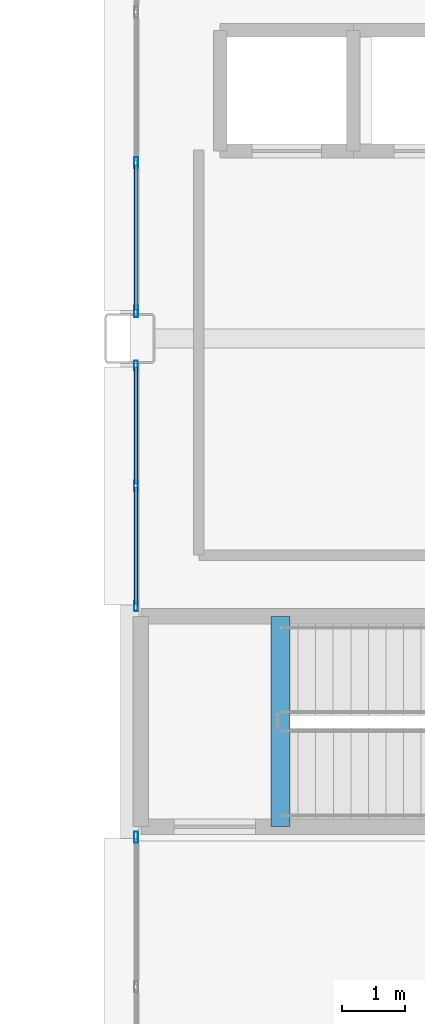
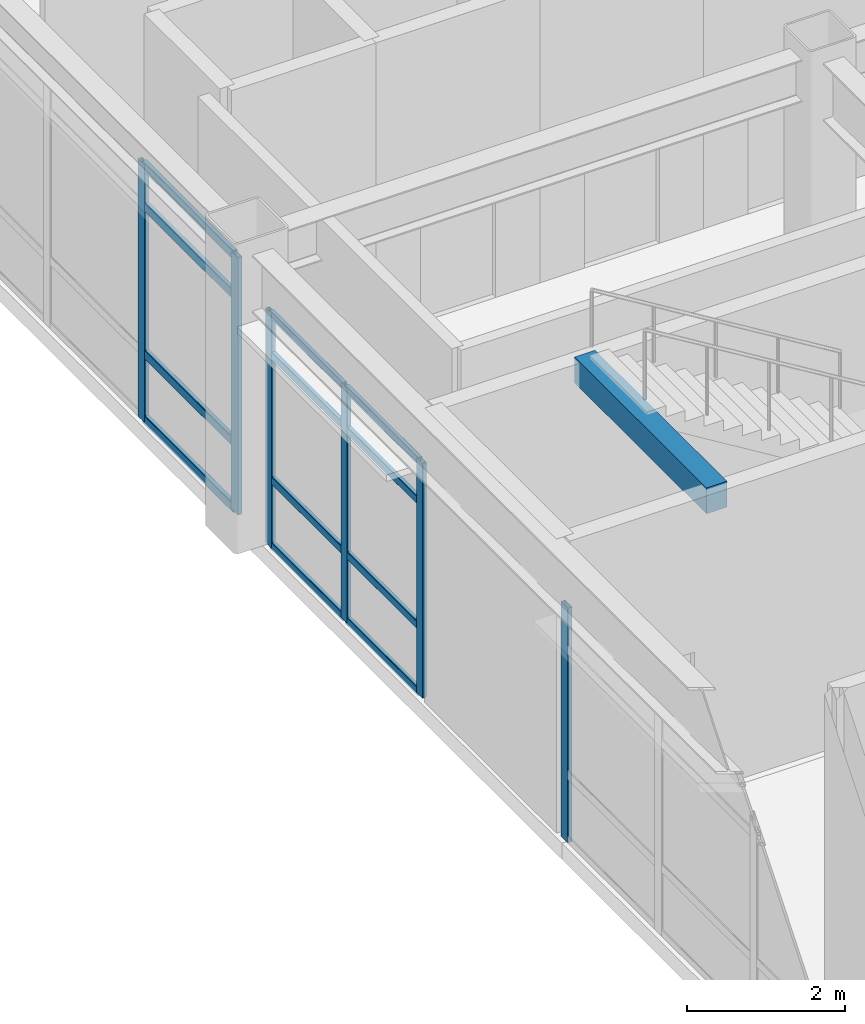
# One storey, part 92 of 154: 18 members, 1 beam, 3 elements without a shape of their own.
"""IFC4 building model written with IfcOpenShell, lengths in metres."""

from ifc_helpers import new_model, si_unit, direction, frame, origin, origin_2d, place, context, subcontext, project, spatial, rectangle, hollow_rectangle, extrude, material, layer, layer_set, material_profile, profile_set, type_object, element, aggregate, save


model = new_model("IFC4")

# Units and contexts
model_context = context("Model", 3, precision=1e-05, world=origin(), true_north=direction((0.0, 1.0)))
body_context = subcontext(model_context, "Body", "Model", "MODEL_VIEW")
ifc_project = project(units=[si_unit("LENGTHUNIT", "METRE"), si_unit("AREAUNIT", "SQUARE_METRE"), si_unit("VOLUMEUNIT", "CUBIC_METRE"), si_unit("PLANEANGLEUNIT", "RADIAN"), si_unit("MASSUNIT", "GRAM", prefix="KILO")], contexts=[model_context])

# Site, building, storey
site_placement = place(None, origin())
site = spatial("IfcSite", under=ifc_project, at=site_placement, CompositionType="ELEMENT")
building_placement = place(site_placement, origin())
building = spatial("IfcBuilding", under=site, at=building_placement, Name="Kazehara Bluff Congress Hotel", CompositionType="ELEMENT")
storey_placement = place(building_placement, frame((0.0, 0.0, 10.199951171875)))
storey = spatial("IfcBuildingStorey", under=building, at=storey_placement, Name="L02", CompositionType="ELEMENT", Elevation=10.199951171875)

# Curtain wall, members
ifc_material_1 = material(Name="Anodised aluminium", Category="aluminium")
ifc_layer_1 = layer(ifc_material_1, 0.159912109375)
ifc_layer_set_1 = layer_set([ifc_layer_1], Name="Anodised aluminium")
curtain_wall_type_1 = type_object("IfcCurtainWallType", Name="TP-CW-142", PredefinedType="NOTDEFINED", material=ifc_layer_set_1)
curtain_wall_1_placement = place(storey_placement, origin())
curtain_wall_1 = element("IfcCurtainWall", 1, at=curtain_wall_1_placement, inside=storey, type_object=curtain_wall_type_1, Name="L02 curtain wall CW-142 CW-ENC-V5-L02-14380-5410", PredefinedType="NOTDEFINED")
ifc_material_2 = material(Name="Anodised aluminium", Category="aluminium")
ifc_material_profile_1 = material_profile(ifc_material_2, hollow_rectangle(XDim=0.06005859375, YDim=0.159912109375, WallThickness=0.00390625, InnerFilletRadius=0.00390625, OuterFilletRadius=0.008056640625, at=origin_2d()))
ifc_profile_set_1 = profile_set([ifc_material_profile_1], Name="Anodised aluminium")
member_type_1 = type_object("IfcMemberType", Name="TP-CWM-01", PredefinedType="MULLION", material=ifc_profile_set_1)
member_1_placement = place(storey_placement, frame((143.800048828125, 52.18994140625, 0.0), z_axis=(0.0, 0.0, 1.0), x_axis=(-1.0, 0.0, 0.0)))
member_1 = element("IfcMember", 2, at=member_1_placement, type_object=member_type_1, Name="CW-142 mullion 1", PredefinedType="MULLION", context=body_context, shape_type="SweptSolid", body=[
    extrude(hollow_rectangle(XDim=0.06005859375, YDim=0.159912109375, WallThickness=0.00390625, InnerFilletRadius=0.00390625, OuterFilletRadius=0.008056640625, at=origin_2d()), origin(), (0.0, 0.0, 1.0), 3.635009765625),
])
member_2_placement = place(storey_placement, frame((143.800048828125, 54.10498046875, 0.0), z_axis=(0.0, 0.0, 1.0), x_axis=(-1.0, 0.0, 0.0)))
member_2 = element("IfcMember", 3, at=member_2_placement, type_object=member_type_1, Name="CW-142 mullion 2", PredefinedType="MULLION", context=body_context, shape_type="SweptSolid", body=[
    extrude(hollow_rectangle(XDim=0.06005859375, YDim=0.159912109375, WallThickness=0.00390625, InnerFilletRadius=0.00390625, OuterFilletRadius=0.008056640625, at=origin_2d()), origin(), (0.0, 0.0, 1.0), 3.635009765625),
])
member_3_placement = place(storey_placement, frame((143.800048828125, 56.02001953125, 0.0), z_axis=(0.0, 0.0, 1.0), x_axis=(-1.0, 0.0, 0.0)))
member_3 = element("IfcMember", 4, at=member_3_placement, type_object=member_type_1, Name="CW-142 mullion 3", PredefinedType="MULLION", context=body_context, shape_type="SweptSolid", body=[
    extrude(hollow_rectangle(XDim=0.06005859375, YDim=0.159912109375, WallThickness=0.00390625, InnerFilletRadius=0.00390625, OuterFilletRadius=0.008056640625, at=origin_2d()), origin(), (0.0, 0.0, 1.0), 3.635009765625),
])

# Curtain wall, member
ifc_material_3 = material(Name="Anodised aluminium", Category="aluminium")
ifc_layer_2 = layer(ifc_material_3, 0.159912109375)
ifc_layer_set_2 = layer_set([ifc_layer_2], Name="Anodised aluminium")
curtain_wall_type_2 = type_object("IfcCurtainWallType", Name="TP-CW-141", PredefinedType="NOTDEFINED", material=ifc_layer_set_2)
curtain_wall_2_placement = place(storey_placement, origin())
curtain_wall_2 = element("IfcCurtainWall", 5, at=curtain_wall_2_placement, inside=storey, type_object=curtain_wall_type_2, Name="L02 curtain wall CW-141 CW-ENC-V5-L02-14380-4492", PredefinedType="NOTDEFINED")
ifc_material_4 = material(Name="Anodised aluminium", Category="aluminium")
ifc_material_profile_2 = material_profile(ifc_material_4, hollow_rectangle(XDim=0.06494140625, YDim=0.179931640625, WallThickness=0.00390625, InnerFilletRadius=0.00390625, OuterFilletRadius=0.008056640625, at=origin_2d()))
ifc_profile_set_2 = profile_set([ifc_material_profile_2], Name="Anodised aluminium")
member_type_2 = type_object("IfcMemberType", Name="TP-CWM-02", PredefinedType="MULLION", material=ifc_profile_set_2)
member_4_placement = place(storey_placement, frame((143.800048828125, 48.507568359375, 0.0), z_axis=(0.0, 0.0, 1.0), x_axis=(-1.0, 0.0, 0.0)))
member_4 = element("IfcMember", 6, at=member_4_placement, type_object=member_type_2, Name="CW-141 mullion 4", PredefinedType="MULLION", context=body_context, shape_type="SweptSolid", body=[
    extrude(hollow_rectangle(XDim=0.06494140625, YDim=0.179931640625, WallThickness=0.00390625, InnerFilletRadius=0.00390625, OuterFilletRadius=0.008056640625, at=origin_2d()), origin(), (0.0, 0.0, 1.0), 3.635009765625),
])
aggregate(curtain_wall_2, [member_4])

# Curtain wall, members
ifc_material_5 = material(Name="Anodised aluminium", Category="aluminium")
ifc_layer_3 = layer(ifc_material_5, 0.159912109375)
ifc_layer_set_3 = layer_set([ifc_layer_3], Name="Anodised aluminium")
curtain_wall_type_3 = type_object("IfcCurtainWallType", Name="TP-CW-120", PredefinedType="NOTDEFINED", material=ifc_layer_set_3)
curtain_wall_3_placement = place(storey_placement, origin())
curtain_wall_3 = element("IfcCurtainWall", 7, at=curtain_wall_3_placement, inside=storey, type_object=curtain_wall_type_3, Name="L02 curtain wall CW-120 CW-ENC-V5-L02-14380-6045", PredefinedType="NOTDEFINED")
member_5_placement = place(storey_placement, frame((143.800048828125, 56.882568359375, 0.0), z_axis=(0.0, 0.0, 1.0), x_axis=(-1.0, 0.0, 0.0)))
member_5 = element("IfcMember", 8, at=member_5_placement, type_object=member_type_2, Name="CW-120 mullion 1", PredefinedType="MULLION", context=body_context, shape_type="SweptSolid", body=[
    extrude(hollow_rectangle(XDim=0.06494140625, YDim=0.179931640625, WallThickness=0.00390625, InnerFilletRadius=0.00390625, OuterFilletRadius=0.008056640625, at=origin_2d()), origin(), (0.0, 0.0, 1.0), 3.985107421875),
])
member_6_placement = place(storey_placement, frame((143.800048828125, 59.25, 0.0), z_axis=(0.0, 0.0, 1.0), x_axis=(-1.0, 0.0, 0.0)))
member_6 = element("IfcMember", 9, at=member_6_placement, type_object=member_type_2, Name="CW-120 mullion 2", PredefinedType="MULLION", context=body_context, shape_type="SweptSolid", body=[
    extrude(hollow_rectangle(XDim=0.06494140625, YDim=0.179931640625, WallThickness=0.00390625, InnerFilletRadius=0.00390625, OuterFilletRadius=0.008056640625, at=origin_2d()), origin(), (0.0, 0.0, 1.0), 3.985107421875),
])

# Member
ifc_material_6 = material(Name="Anodised aluminium", Category="aluminium")
ifc_material_profile_3 = material_profile(ifc_material_6, hollow_rectangle(XDim=0.06005859375, YDim=0.1201171875, WallThickness=0.00390625, InnerFilletRadius=0.00390625, OuterFilletRadius=0.008056640625, at=origin_2d()))
ifc_profile_set_3 = profile_set([ifc_material_profile_3], Name="Anodised aluminium")
member_type_3 = type_object("IfcMemberType", Name="TP-CWT-01", PredefinedType="USERDEFINED", material=ifc_profile_set_3)
member_7_placement = place(storey_placement, frame((143.800048828125, 52.219970703125, 0.030029296875), z_axis=(0.0, 1.0, 0.0), x_axis=(-1.0, 0.0, 0.0)))
member_7 = element("IfcMember", 10, at=member_7_placement, type_object=member_type_3, Name="CW-142 transom 1.1", ObjectType="TRANSOM", PredefinedType="USERDEFINED", context=body_context, shape_type="SweptSolid", body=[
    extrude(hollow_rectangle(XDim=0.06005859375, YDim=0.1201171875, WallThickness=0.00390625, InnerFilletRadius=0.00390625, OuterFilletRadius=0.008056640625, at=origin_2d()), origin(), (0.0, 0.0, 1.0), 1.85498046875),
])

member_8_placement = place(storey_placement, frame((143.800048828125, 52.219970703125, 1.050048828125), z_axis=(0.0, 1.0, 0.0), x_axis=(-1.0, 0.0, 0.0)))
member_8 = element("IfcMember", 11, at=member_8_placement, type_object=member_type_3, Name="CW-142 transom 1.2", ObjectType="TRANSOM", PredefinedType="USERDEFINED", context=body_context, shape_type="SweptSolid", body=[
    extrude(hollow_rectangle(XDim=0.06005859375, YDim=0.1201171875, WallThickness=0.00390625, InnerFilletRadius=0.00390625, OuterFilletRadius=0.008056640625, at=origin_2d()), origin(), (0.0, 0.0, 1.0), 1.85498046875),
])

member_9_placement = place(storey_placement, frame((143.800048828125, 52.219970703125, 2.985107421875), z_axis=(0.0, 1.0, 0.0), x_axis=(-1.0, 0.0, 0.0)))
member_9 = element("IfcMember", 12, at=member_9_placement, type_object=member_type_3, Name="CW-142 transom 1.3", ObjectType="TRANSOM", PredefinedType="USERDEFINED", context=body_context, shape_type="SweptSolid", body=[
    extrude(hollow_rectangle(XDim=0.06005859375, YDim=0.1201171875, WallThickness=0.00390625, InnerFilletRadius=0.00390625, OuterFilletRadius=0.008056640625, at=origin_2d()), origin(), (0.0, 0.0, 1.0), 1.85498046875),
])

member_10_placement = place(storey_placement, frame((143.800048828125, 52.219970703125, 3.60498046875), z_axis=(0.0, 1.0, 0.0), x_axis=(-1.0, 0.0, 0.0)))
member_10 = element("IfcMember", 13, at=member_10_placement, type_object=member_type_3, Name="CW-142 transom 1.4", ObjectType="TRANSOM", PredefinedType="USERDEFINED", context=body_context, shape_type="SweptSolid", body=[
    extrude(hollow_rectangle(XDim=0.06005859375, YDim=0.1201171875, WallThickness=0.00390625, InnerFilletRadius=0.00390625, OuterFilletRadius=0.008056640625, at=origin_2d()), origin(), (0.0, 0.0, 1.0), 1.85498046875),
])

member_11_placement = place(storey_placement, frame((143.800048828125, 54.135009765625, 0.030029296875), z_axis=(0.0, 1.0, 0.0), x_axis=(-1.0, 0.0, 0.0)))
member_11 = element("IfcMember", 14, at=member_11_placement, type_object=member_type_3, Name="CW-142 transom 2.1", ObjectType="TRANSOM", PredefinedType="USERDEFINED", context=body_context, shape_type="SweptSolid", body=[
    extrude(hollow_rectangle(XDim=0.06005859375, YDim=0.1201171875, WallThickness=0.00390625, InnerFilletRadius=0.00390625, OuterFilletRadius=0.008056640625, at=origin_2d()), origin(), (0.0, 0.0, 1.0), 1.85498046875),
])

member_12_placement = place(storey_placement, frame((143.800048828125, 54.135009765625, 1.050048828125), z_axis=(0.0, 1.0, 0.0), x_axis=(-1.0, 0.0, 0.0)))
member_12 = element("IfcMember", 15, at=member_12_placement, type_object=member_type_3, Name="CW-142 transom 2.2", ObjectType="TRANSOM", PredefinedType="USERDEFINED", context=body_context, shape_type="SweptSolid", body=[
    extrude(hollow_rectangle(XDim=0.06005859375, YDim=0.1201171875, WallThickness=0.00390625, InnerFilletRadius=0.00390625, OuterFilletRadius=0.008056640625, at=origin_2d()), origin(), (0.0, 0.0, 1.0), 1.85498046875),
])

member_13_placement = place(storey_placement, frame((143.800048828125, 54.135009765625, 2.985107421875), z_axis=(0.0, 1.0, 0.0), x_axis=(-1.0, 0.0, 0.0)))
member_13 = element("IfcMember", 16, at=member_13_placement, type_object=member_type_3, Name="CW-142 transom 2.3", ObjectType="TRANSOM", PredefinedType="USERDEFINED", context=body_context, shape_type="SweptSolid", body=[
    extrude(hollow_rectangle(XDim=0.06005859375, YDim=0.1201171875, WallThickness=0.00390625, InnerFilletRadius=0.00390625, OuterFilletRadius=0.008056640625, at=origin_2d()), origin(), (0.0, 0.0, 1.0), 1.85498046875),
])

member_14_placement = place(storey_placement, frame((143.800048828125, 54.135009765625, 3.60498046875), z_axis=(0.0, 1.0, 0.0), x_axis=(-1.0, 0.0, 0.0)))
member_14 = element("IfcMember", 17, at=member_14_placement, type_object=member_type_3, Name="CW-142 transom 2.4", ObjectType="TRANSOM", PredefinedType="USERDEFINED", context=body_context, shape_type="SweptSolid", body=[
    extrude(hollow_rectangle(XDim=0.06005859375, YDim=0.1201171875, WallThickness=0.00390625, InnerFilletRadius=0.00390625, OuterFilletRadius=0.008056640625, at=origin_2d()), origin(), (0.0, 0.0, 1.0), 1.85498046875),
])

aggregate(curtain_wall_1, [member_1, member_2, member_3, member_7, member_8, member_9, member_10, member_11, member_12, member_13, member_14])

ifc_material_7 = material(Name="Anodised aluminium", Category="aluminium")
ifc_material_profile_4 = material_profile(ifc_material_7, hollow_rectangle(XDim=0.06494140625, YDim=0.139892578125, WallThickness=0.00390625, InnerFilletRadius=0.00390625, OuterFilletRadius=0.008056640625, at=origin_2d()))
ifc_profile_set_4 = profile_set([ifc_material_profile_4], Name="Anodised aluminium")
member_type_4 = type_object("IfcMemberType", Name="TP-CWT-02", PredefinedType="USERDEFINED", material=ifc_profile_set_4)
member_15_placement = place(storey_placement, frame((143.800048828125, 56.9150390625, 0.032470703125), z_axis=(0.0, 1.0, 0.0), x_axis=(-1.0, 0.0, 0.0)))
member_15 = element("IfcMember", 18, at=member_15_placement, type_object=member_type_4, Name="CW-120 transom 1.1", ObjectType="TRANSOM", PredefinedType="USERDEFINED", context=body_context, shape_type="SweptSolid", body=[
    extrude(hollow_rectangle(XDim=0.06494140625, YDim=0.139892578125, WallThickness=0.00390625, InnerFilletRadius=0.00390625, OuterFilletRadius=0.008056640625, at=origin_2d()), origin(), (0.0, 0.0, 1.0), 2.302490234375),
])

member_16_placement = place(storey_placement, frame((143.800048828125, 56.9150390625, 1.050048828125), z_axis=(0.0, 1.0, 0.0), x_axis=(-1.0, 0.0, 0.0)))
member_16 = element("IfcMember", 19, at=member_16_placement, type_object=member_type_4, Name="CW-120 transom 1.2", ObjectType="TRANSOM", PredefinedType="USERDEFINED", context=body_context, shape_type="SweptSolid", body=[
    extrude(hollow_rectangle(XDim=0.06494140625, YDim=0.139892578125, WallThickness=0.00390625, InnerFilletRadius=0.00390625, OuterFilletRadius=0.008056640625, at=origin_2d()), origin(), (0.0, 0.0, 1.0), 2.302490234375),
])

member_17_placement = place(storey_placement, frame((143.800048828125, 56.9150390625, 3.3349609375), z_axis=(0.0, 1.0, 0.0), x_axis=(-1.0, 0.0, 0.0)))
member_17 = element("IfcMember", 20, at=member_17_placement, type_object=member_type_4, Name="CW-120 transom 1.3", ObjectType="TRANSOM", PredefinedType="USERDEFINED", context=body_context, shape_type="SweptSolid", body=[
    extrude(hollow_rectangle(XDim=0.06494140625, YDim=0.139892578125, WallThickness=0.00390625, InnerFilletRadius=0.00390625, OuterFilletRadius=0.008056640625, at=origin_2d()), origin(), (0.0, 0.0, 1.0), 2.302490234375),
])

member_18_placement = place(storey_placement, frame((143.800048828125, 56.9150390625, 3.95263671875), z_axis=(0.0, 1.0, 0.0), x_axis=(-1.0, 0.0, 0.0)))
member_18 = element("IfcMember", 21, at=member_18_placement, type_object=member_type_4, Name="CW-120 transom 1.4", ObjectType="TRANSOM", PredefinedType="USERDEFINED", context=body_context, shape_type="SweptSolid", body=[
    extrude(hollow_rectangle(XDim=0.06494140625, YDim=0.139892578125, WallThickness=0.00390625, InnerFilletRadius=0.00390625, OuterFilletRadius=0.008056640625, at=origin_2d()), origin(), (0.0, 0.0, 1.0), 2.302490234375),
])

aggregate(curtain_wall_3, [member_5, member_6, member_15, member_16, member_17, member_18])

# Beam
ifc_material_8 = material(Name="Concrete C40/50", Category="concrete")
ifc_material_profile_5 = material_profile(ifc_material_8, rectangle(XDim=0.300048828125, YDim=0.39990234375, at=origin_2d()))
ifc_profile_set_5 = profile_set([ifc_material_profile_5], Name="Concrete C40/50")
beam_type = type_object("IfcBeamType", Name="TP-LN-02", PredefinedType="LINTEL", material=ifc_profile_set_5)
beam_placement = place(storey_placement, frame((146.10009765625, 48.675048828125, 4.380126953125), z_axis=(0.0, 1.0, 0.0), x_axis=(-1.0, 0.0, 0.0)))
element("IfcBeam", 22, at=beam_placement, inside=storey, type_object=beam_type, Name="L03 ST-11 stairwell trimmer beam", PredefinedType="LINTEL", context=body_context, shape_type="SweptSolid", body=[
    extrude(rectangle(XDim=0.300048828125, YDim=0.39990234375, at=origin_2d()), origin(), (0.0, 0.0, 1.0), 3.349853515625),
])

save(model, "model.ifc")
